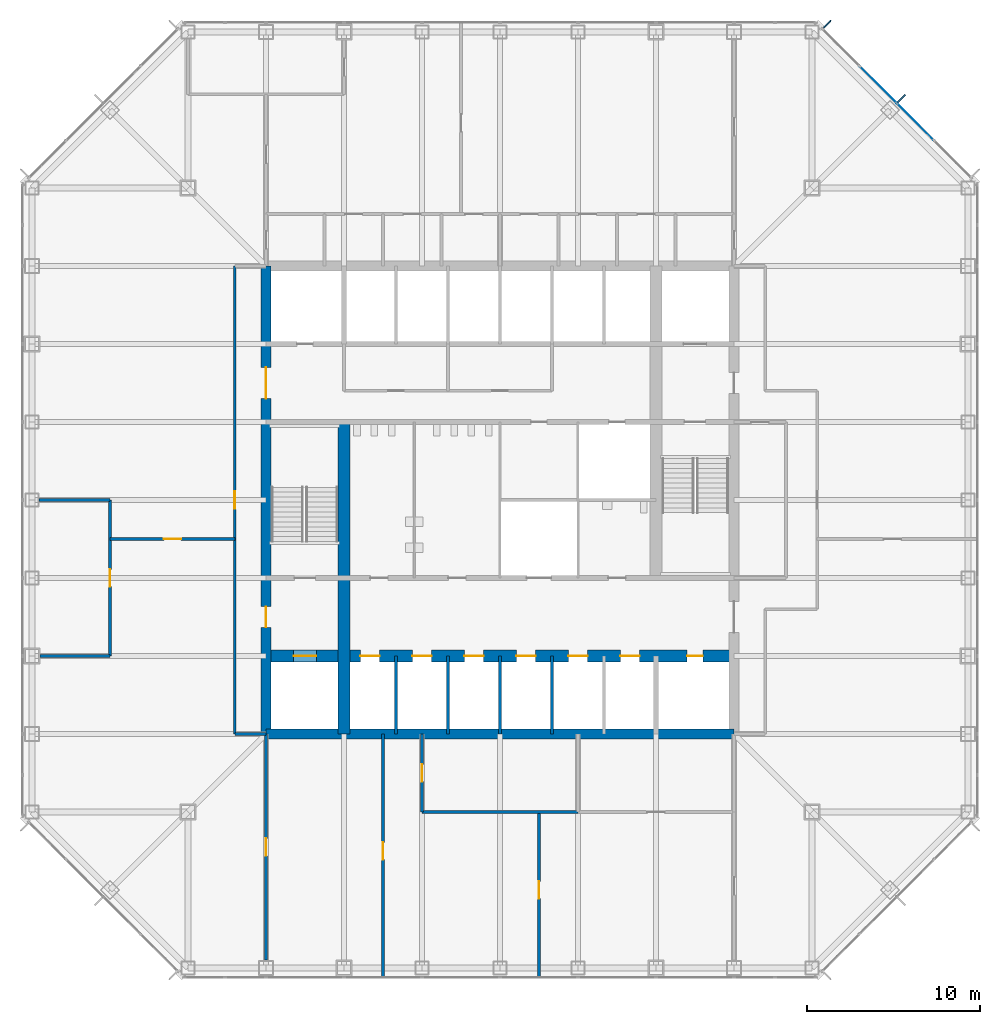
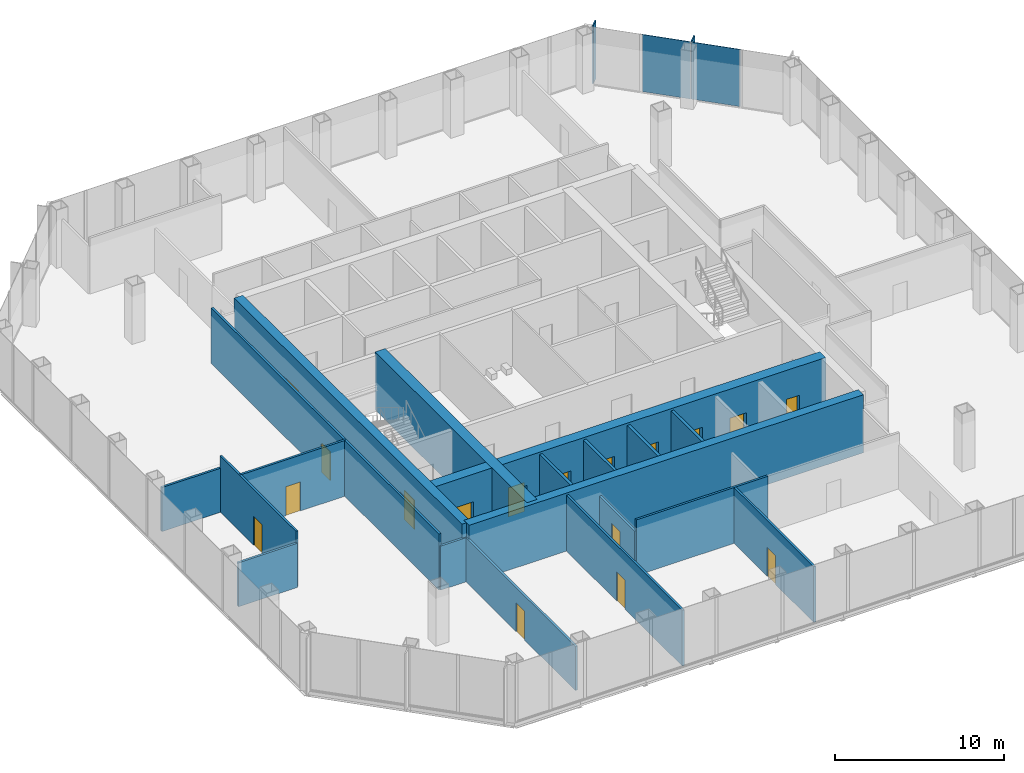
# One storey, part 8 of 13: 19 walls, 17 doors, 4 plates, 17 openings, 1 element without a shape of its own.
"""IFC4 building model written with IfcOpenShell, lengths in metres."""

from ifc_helpers import new_model, si_unit, direction, frame, frame_2d, origin, origin_2d, place, context, subcontext, project, spatial, rectangle, extrude, material, layer, layer_set, type_object, element, fill, aggregate, save


model = new_model("IFC4")

# Units and contexts
model_context = context("Model", 3, precision=1e-05, world=origin(), true_north=direction((0.0, 1.0)))
body_context = subcontext(model_context, "Body", "Model", "MODEL_VIEW")
ifc_project = project(units=[si_unit("LENGTHUNIT", "METRE"), si_unit("AREAUNIT", "SQUARE_METRE"), si_unit("VOLUMEUNIT", "CUBIC_METRE"), si_unit("PLANEANGLEUNIT", "RADIAN"), si_unit("MASSUNIT", "GRAM", prefix="KILO")], contexts=[model_context])

# Site, building, storey
site_placement = place(None, origin())
site = spatial("IfcSite", under=ifc_project, at=site_placement, CompositionType="ELEMENT")
building_placement = place(site_placement, origin())
building = spatial("IfcBuilding", under=site, at=building_placement, Name="Corais Broadcast Tower", CompositionType="ELEMENT")
storey_placement = place(building_placement, frame((0.0, 0.0, 62.60009765625)))
storey = spatial("IfcBuildingStorey", under=building, at=storey_placement, Name="L13", CompositionType="ELEMENT", Elevation=62.60009765625)

# Curtain wall, plates
ifc_material_1 = material(Name="Aluminium and glass", Category="aluminium")
curtain_wall_type = type_object("IfcCurtainWallType", Name="Unitised fritted curtain wall CW1", PredefinedType="NOTDEFINED", material=ifc_material_1)
curtain_wall_placement = place(storey_placement, origin())
curtain_wall = element("IfcCurtainWall", 1, at=curtain_wall_placement, inside=storey, type_object=curtain_wall_type, Name="CW1 curtain wall L13 5", PredefinedType="NOTDEFINED")
ifc_material_2 = material(Name="Ceramic-fritted laminated glass", Category="glass")
ifc_layer_1 = layer(ifc_material_2, 0.030029296875)
ifc_layer_set_1 = layer_set([ifc_layer_1], Name="Ceramic-fritted laminated glass")
plate_type_1 = type_object("IfcPlateType", Name="Fritted glass panel CW1", PredefinedType="CURTAIN_PANEL", material=ifc_layer_set_1)
plate_1_placement = place(storey_placement, frame((50.9658203125, 48.81201171875, 0.06494140625), z_axis=(0.0, 0.0, 1.0), x_axis=(0.707106781187, -0.707106781187, 0.0)))
plate_1 = element("IfcPlate", 2, at=plate_1_placement, type_object=plate_type_1, Name="CW1 panel 3", PredefinedType="CURTAIN_PANEL", context=body_context, shape_type="SweptSolid", body=[
    extrude(rectangle(XDim=2.98095703125, YDim=0.030029296875, at=origin_2d()), origin(), (0.0, 0.0, 1.0), 4.135009765625),
])
ifc_material_3 = material(Name="Clear laminated glass", Category="glass")
ifc_layer_2 = layer(ifc_material_3, 0.033935546875)
ifc_layer_set_2 = layer_set([ifc_layer_2], Name="Clear laminated glass")
plate_type_2 = type_object("IfcPlateType", Name="Operable glass panel CW1", PredefinedType="CURTAIN_PANEL", material=ifc_layer_set_2)
plate_2_placement = place(storey_placement, frame((48.81201171875, 50.9658203125, 0.06494140625), z_axis=(0.0, 0.0, 1.0), x_axis=(0.707106781187, -0.707106781187, 0.0)))
plate_2 = element("IfcPlate", 3, at=plate_2_placement, type_object=plate_type_2, Name="CW1 operable panel 2", PredefinedType="CURTAIN_PANEL", context=body_context, shape_type="SweptSolid", body=[
    extrude(rectangle(XDim=2.98095703125, YDim=0.033935546875, at=origin_2d()), origin(), (0.0, 0.0, 1.0), 4.135009765625),
])
aggregate(curtain_wall, [plate_2, plate_1])

# Plates
ifc_material_4 = material(Name="Granite stone cladding", Category="masonry")
ifc_layer_3 = layer(ifc_material_4, 0.080078125)
ifc_layer_set_3 = layer_set([ifc_layer_3], Name="Granite stone cladding")
plate_type_3 = type_object("IfcPlateType", Name="Stone screen fin 80x600", PredefinedType="USERDEFINED", material=ifc_layer_set_3)
for number, where, z_axis, x_axis, name in (
    (4, (45.885009765625, 54.4541015625, 0.0), (0.0, 0.0, 1.0), (0.707106781187, -0.707106781187, 0.0), "SF1 stone screen fin L13"),
    (5, (50.169677734375, 50.169677734375, 0.0), (0.0, 0.0, 1.0), (0.707106781187, -0.707106781187, 0.0), "SF1 stone screen fin L13"),
):
    element("IfcPlate", number, at=place(storey_placement, frame(where, z_axis=z_axis, x_axis=x_axis)), inside=storey, type_object=plate_type_3, Name=name, ObjectType="STONE SCREEN FIN", PredefinedType="USERDEFINED", context=body_context, shape_type="SweptSolid", body=[
        extrude(rectangle(XDim=0.080078125, YDim=0.60009765625, at=origin_2d()), origin(), (0.0, 0.0, 1.0), 4.199951171875),
    ])

# Wall
ifc_material_5 = material(Name="Concrete C50/60", Category="concrete")
ifc_layer_4 = layer(ifc_material_5, 0.699951171875)
ifc_layer_set_4 = layer_set([ifc_layer_4], Name="Concrete C50/60")
wall_type_1 = type_object("IfcWallType", Name="Core spine wall 700", PredefinedType="SHEAR", material=ifc_layer_set_4)
wall_1_placement = place(storey_placement, frame((18.0, 13.5, 0.0), z_axis=(0.0, 0.0, 1.0), x_axis=(0.0, 1.0, 0.0)))
element("IfcWall", 6, at=wall_1_placement, inside=storey, type_object=wall_type_1, Name="CR700 core wall X18A L13", PredefinedType="SHEAR", context=body_context, shape_type="SweptSolid", body=[
    extrude(rectangle(XDim=18.0, YDim=0.699951171875, at=frame_2d((9.0, 0.0))), origin(), (0.0, 0.0, 1.0), 4.199951171875),
])

# Wall, openings, doors
wall_2_placement = place(storey_placement, frame((13.5, 18.0, 0.0), z_axis=(0.0, 0.0, 1.0), x_axis=(1.0, 0.0, 0.0)))
wall_2 = element("IfcWall", 7, at=wall_2_placement, inside=storey, type_object=wall_type_1, Name="CR700 core wall Y18 L13", PredefinedType="SHEAR", context=body_context, shape_type="SweptSolid", body=[
    extrude(rectangle(XDim=27.0, YDim=0.699951171875, at=frame_2d((13.5, 0.0))), origin(), (0.0, 0.0, 1.0), 4.199951171875),
])
opening_1_placement = place(wall_2_placement, frame((24.300048828125, 0.0, 0.0)))
opening_1 = element("IfcOpeningElement", 8, at=opening_1_placement, cuts=wall_2, Name="Opening RD1", PredefinedType="OPENING", context=body_context, shape_type="SweptSolid", body=[
    extrude(rectangle(XDim=0.89990234375, YDim=2.10009765625, at=frame_2d((0.449951171875, 1.050048828125))), frame((0.0, 0.35986328125, 0.0), z_axis=(0.0, -1.0, 0.0), x_axis=(1.0, 0.0, 0.0)), (0.0, 0.0, 1.0), 0.719970703125),
])
opening_2_placement = place(wall_2_placement, frame((5.449951171875, 0.0, 0.0)))
opening_2 = element("IfcOpeningElement", 9, at=opening_2_placement, cuts=wall_2, Name="Opening LD1", PredefinedType="OPENING", context=body_context, shape_type="SweptSolid", body=[
    extrude(rectangle(XDim=1.10009765625, YDim=2.10009765625, at=frame_2d((0.550048828125, 1.050048828125))), frame((0.0, 0.35986328125, 0.0), z_axis=(0.0, -1.0, 0.0), x_axis=(1.0, 0.0, 0.0)), (0.0, 0.0, 1.0), 0.719970703125),
])
opening_3_placement = place(wall_2_placement, frame((8.449951171875, 0.0, 0.0)))
opening_3 = element("IfcOpeningElement", 10, at=opening_3_placement, cuts=wall_2, Name="Opening LD1", PredefinedType="OPENING", context=body_context, shape_type="SweptSolid", body=[
    extrude(rectangle(XDim=1.10009765625, YDim=2.10009765625, at=frame_2d((0.550048828125, 1.050048828125))), frame((0.0, 0.35986328125, 0.0), z_axis=(0.0, -1.0, 0.0), x_axis=(1.0, 0.0, 0.0)), (0.0, 0.0, 1.0), 0.719970703125),
])
opening_4_placement = place(wall_2_placement, frame((11.449951171875, 0.0, 0.0)))
opening_4 = element("IfcOpeningElement", 11, at=opening_4_placement, cuts=wall_2, Name="Opening LD1", PredefinedType="OPENING", context=body_context, shape_type="SweptSolid", body=[
    extrude(rectangle(XDim=1.10009765625, YDim=2.10009765625, at=frame_2d((0.550048828125, 1.050048828125))), frame((0.0, 0.35986328125, 0.0), z_axis=(0.0, -1.0, 0.0), x_axis=(1.0, 0.0, 0.0)), (0.0, 0.0, 1.0), 0.719970703125),
])
opening_5_placement = place(wall_2_placement, frame((14.449951171875, 0.0, 0.0)))
opening_5 = element("IfcOpeningElement", 12, at=opening_5_placement, cuts=wall_2, Name="Opening LD1", PredefinedType="OPENING", context=body_context, shape_type="SweptSolid", body=[
    extrude(rectangle(XDim=1.10009765625, YDim=2.10009765625, at=frame_2d((0.550048828125, 1.050048828125))), frame((0.0, 0.35986328125, 0.0), z_axis=(0.0, -1.0, 0.0), x_axis=(1.0, 0.0, 0.0)), (0.0, 0.0, 1.0), 0.719970703125),
])
opening_6_placement = place(wall_2_placement, frame((17.449951171875, 0.0, 0.0)))
opening_6 = element("IfcOpeningElement", 13, at=opening_6_placement, cuts=wall_2, Name="Opening LD1", PredefinedType="OPENING", context=body_context, shape_type="SweptSolid", body=[
    extrude(rectangle(XDim=1.10009765625, YDim=2.10009765625, at=frame_2d((0.550048828125, 1.050048828125))), frame((0.0, 0.35986328125, 0.0), z_axis=(0.0, -1.0, 0.0), x_axis=(1.0, 0.0, 0.0)), (0.0, 0.0, 1.0), 0.719970703125),
])
opening_7_placement = place(wall_2_placement, frame((20.449951171875, 0.0, 0.0)))
opening_7 = element("IfcOpeningElement", 14, at=opening_7_placement, cuts=wall_2, Name="Opening LD1", PredefinedType="OPENING", context=body_context, shape_type="SweptSolid", body=[
    extrude(rectangle(XDim=1.10009765625, YDim=2.10009765625, at=frame_2d((0.550048828125, 1.050048828125))), frame((0.0, 0.35986328125, 0.0), z_axis=(0.0, -1.0, 0.0), x_axis=(1.0, 0.0, 0.0)), (0.0, 0.0, 1.0), 0.719970703125),
])
opening_8_placement = place(wall_2_placement, frame((1.60009765625, 0.0, 0.0)))
opening_8 = element("IfcOpeningElement", 15, at=opening_8_placement, cuts=wall_2, Name="Opening LD2", PredefinedType="OPENING", context=body_context, shape_type="SweptSolid", body=[
    extrude(rectangle(XDim=1.300048828125, YDim=2.199951171875, at=frame_2d((0.64990234375, 1.10009765625))), frame((0.0, 0.35986328125, 0.0), z_axis=(0.0, -1.0, 0.0), x_axis=(1.0, 0.0, 0.0)), (0.0, 0.0, 1.0), 0.719970703125),
])
ifc_material_6 = material(Name="Stainless steel lift door", Category="steel")
door_type_1 = type_object("IfcDoorType", Name="Lift landing door 1100x2100", OperationType="SLIDING_TO_LEFT", PredefinedType="DOOR", material=ifc_material_6)
door_1_placement = place(opening_2_placement, origin())
door_1 = element("IfcDoor", 16, at=door_1_placement, inside=storey, type_object=door_type_1, Name="LD1 PL1 landing door L13", OperationType="SLIDING_TO_LEFT", OverallHeight=2.10009765625, OverallWidth=1.10009765625, PredefinedType="DOOR", context=body_context, shape_type="SweptSolid", body=[
    extrude(rectangle(XDim=1.10009765625, YDim=2.10009765625, at=frame_2d((0.550048828125, 1.050048828125))), frame((0.0, 0.02490234375, 0.0), z_axis=(0.0, -1.0, 0.0), x_axis=(1.0, 0.0, 0.0)), (0.0, 0.0, 1.0), 0.050048828125),
])
fill(opening_2, door_1)
door_2_placement = place(opening_3_placement, origin())
door_2 = element("IfcDoor", 17, at=door_2_placement, inside=storey, type_object=door_type_1, Name="LD1 PL2 landing door L13", OperationType="SLIDING_TO_LEFT", OverallHeight=2.10009765625, OverallWidth=1.10009765625, PredefinedType="DOOR", context=body_context, shape_type="SweptSolid", body=[
    extrude(rectangle(XDim=1.10009765625, YDim=2.10009765625, at=frame_2d((0.550048828125, 1.050048828125))), frame((0.0, 0.02490234375, 0.0), z_axis=(0.0, -1.0, 0.0), x_axis=(1.0, 0.0, 0.0)), (0.0, 0.0, 1.0), 0.050048828125),
])
fill(opening_3, door_2)
door_3_placement = place(opening_4_placement, origin())
door_3 = element("IfcDoor", 18, at=door_3_placement, inside=storey, type_object=door_type_1, Name="LD1 PL3 landing door L13", OperationType="SLIDING_TO_LEFT", OverallHeight=2.10009765625, OverallWidth=1.10009765625, PredefinedType="DOOR", context=body_context, shape_type="SweptSolid", body=[
    extrude(rectangle(XDim=1.10009765625, YDim=2.10009765625, at=frame_2d((0.550048828125, 1.050048828125))), frame((0.0, 0.02490234375, 0.0), z_axis=(0.0, -1.0, 0.0), x_axis=(1.0, 0.0, 0.0)), (0.0, 0.0, 1.0), 0.050048828125),
])
fill(opening_4, door_3)
door_4_placement = place(opening_5_placement, origin())
door_4 = element("IfcDoor", 19, at=door_4_placement, inside=storey, type_object=door_type_1, Name="LD1 PL4 landing door L13", OperationType="SLIDING_TO_LEFT", OverallHeight=2.10009765625, OverallWidth=1.10009765625, PredefinedType="DOOR", context=body_context, shape_type="SweptSolid", body=[
    extrude(rectangle(XDim=1.10009765625, YDim=2.10009765625, at=frame_2d((0.550048828125, 1.050048828125))), frame((0.0, 0.02490234375, 0.0), z_axis=(0.0, -1.0, 0.0), x_axis=(1.0, 0.0, 0.0)), (0.0, 0.0, 1.0), 0.050048828125),
])
fill(opening_5, door_4)
door_5_placement = place(opening_6_placement, origin())
door_5 = element("IfcDoor", 20, at=door_5_placement, inside=storey, type_object=door_type_1, Name="LD1 PL5 landing door L13", OperationType="SLIDING_TO_LEFT", OverallHeight=2.10009765625, OverallWidth=1.10009765625, PredefinedType="DOOR", context=body_context, shape_type="SweptSolid", body=[
    extrude(rectangle(XDim=1.10009765625, YDim=2.10009765625, at=frame_2d((0.550048828125, 1.050048828125))), frame((0.0, 0.02490234375, 0.0), z_axis=(0.0, -1.0, 0.0), x_axis=(1.0, 0.0, 0.0)), (0.0, 0.0, 1.0), 0.050048828125),
])
fill(opening_6, door_5)
door_6_placement = place(opening_7_placement, origin())
door_6 = element("IfcDoor", 21, at=door_6_placement, inside=storey, type_object=door_type_1, Name="LD1 PL6 landing door L13", OperationType="SLIDING_TO_LEFT", OverallHeight=2.10009765625, OverallWidth=1.10009765625, PredefinedType="DOOR", context=body_context, shape_type="SweptSolid", body=[
    extrude(rectangle(XDim=1.10009765625, YDim=2.10009765625, at=frame_2d((0.550048828125, 1.050048828125))), frame((0.0, 0.02490234375, 0.0), z_axis=(0.0, -1.0, 0.0), x_axis=(1.0, 0.0, 0.0)), (0.0, 0.0, 1.0), 0.050048828125),
])
fill(opening_7, door_6)
ifc_material_7 = material(Name="Stainless steel lift door", Category="steel")
door_type_2 = type_object("IfcDoorType", Name="Lift landing door 1300x2200", OperationType="SLIDING_TO_LEFT", PredefinedType="DOOR", material=ifc_material_7)
door_7_placement = place(opening_8_placement, origin())
door_7 = element("IfcDoor", 22, at=door_7_placement, inside=storey, type_object=door_type_2, Name="LD2 FL1 landing door L13", OperationType="SLIDING_TO_LEFT", OverallHeight=2.199951171875, OverallWidth=1.300048828125, PredefinedType="DOOR", context=body_context, shape_type="SweptSolid", body=[
    extrude(rectangle(XDim=1.300048828125, YDim=2.199951171875, at=frame_2d((0.64990234375, 1.10009765625))), frame((0.0, 0.02490234375, 0.0), z_axis=(0.0, -1.0, 0.0), x_axis=(1.0, 0.0, 0.0)), (0.0, 0.0, 1.0), 0.050048828125),
])
fill(opening_8, door_7)
ifc_material_8 = material(Name="Steel fire door", Category="steel")
door_type_3 = type_object("IfcDoorType", Name="Riser door 900x2100", OperationType="SINGLE_SWING_LEFT", PredefinedType="DOOR", material=ifc_material_8)
door_8_placement = place(opening_1_placement, origin())
door_8 = element("IfcDoor", 23, at=door_8_placement, inside=storey, type_object=door_type_3, Name="RD1 riser door L13", OperationType="SINGLE_SWING_RIGHT", OverallHeight=2.10009765625, OverallWidth=0.89990234375, PredefinedType="DOOR", context=body_context, shape_type="SweptSolid", body=[
    extrude(rectangle(XDim=0.89990234375, YDim=2.10009765625, at=frame_2d((0.449951171875, 1.050048828125))), frame((0.0, 0.02490234375, 0.0), z_axis=(0.0, -1.0, 0.0), x_axis=(1.0, 0.0, 0.0)), (0.0, 0.0, 1.0), 0.050048828125),
])
fill(opening_1, door_8)

# Wall
ifc_material_9 = material(Name="Concrete C50/60", Category="concrete")
ifc_layer_5 = layer(ifc_material_9, 0.60009765625)
ifc_layer_set_5 = layer_set([ifc_layer_5], Name="Concrete C50/60")
wall_type_2 = type_object("IfcWallType", Name="Core wall 600", PredefinedType="SHEAR", material=ifc_layer_set_5)
wall_3_placement = place(storey_placement, frame((13.5, 13.5, 0.0), z_axis=(0.0, 0.0, 1.0), x_axis=(1.0, 0.0, 0.0)))
element("IfcWall", 24, at=wall_3_placement, inside=storey, type_object=wall_type_2, Name="CR600 core wall S L13", PredefinedType="SHEAR", context=body_context, shape_type="SweptSolid", body=[
    extrude(rectangle(XDim=27.0, YDim=0.60009765625, at=frame_2d((13.5, 0.0))), origin(), (0.0, 0.0, 1.0), 4.199951171875),
])

# Wall, openings, doors
wall_4_placement = place(storey_placement, frame((13.5, 40.5, 0.0), z_axis=(0.0, 0.0, 1.0), x_axis=(0.0, -1.0, 0.0)))
wall_4 = element("IfcWall", 25, at=wall_4_placement, inside=storey, type_object=wall_type_2, Name="CR600 core wall W L13", PredefinedType="SHEAR", context=body_context, shape_type="SweptSolid", body=[
    extrude(rectangle(XDim=27.0, YDim=0.60009765625, at=frame_2d((13.5, 0.0))), origin(), (0.0, 0.0, 1.0), 4.199951171875),
])
opening_9_placement = place(wall_4_placement, frame((19.64990234375, 0.0, 0.0)))
opening_9 = element("IfcOpeningElement", 26, at=opening_9_placement, cuts=wall_4, Name="Opening FD1", PredefinedType="OPENING", context=body_context, shape_type="SweptSolid", body=[
    extrude(rectangle(XDim=1.199951171875, YDim=2.10009765625, at=frame_2d((0.60009765625, 1.050048828125))), frame((0.0, 0.31005859375, 0.0), z_axis=(0.0, -1.0, 0.0), x_axis=(1.0, 0.0, 0.0)), (0.0, 0.0, 1.0), 0.6201171875),
])
opening_10_placement = place(wall_4_placement, frame((5.85009765625, 0.0, 0.0)))
opening_10 = element("IfcOpeningElement", 27, at=opening_10_placement, cuts=wall_4, Name="Opening FD2", PredefinedType="OPENING", context=body_context, shape_type="SweptSolid", body=[
    extrude(rectangle(XDim=1.800048828125, YDim=2.10009765625, at=frame_2d((0.89990234375, 1.050048828125))), frame((0.0, 0.31005859375, 0.0), z_axis=(0.0, -1.0, 0.0), x_axis=(1.0, 0.0, 0.0)), (0.0, 0.0, 1.0), 0.6201171875),
])
ifc_material_10 = material(Name="Steel fire door", Category="steel")
door_type_4 = type_object("IfcDoorType", Name="Fire door 1200x2100", OperationType="SINGLE_SWING_LEFT", PredefinedType="DOOR", material=ifc_material_10)
door_9_placement = place(opening_9_placement, origin())
door_9 = element("IfcDoor", 28, at=door_9_placement, inside=storey, type_object=door_type_4, Name="FD1 fire lobby A door L13", OperationType="SINGLE_SWING_RIGHT", OverallHeight=2.10009765625, OverallWidth=1.199951171875, PredefinedType="DOOR", context=body_context, shape_type="SweptSolid", body=[
    extrude(rectangle(XDim=1.199951171875, YDim=2.10009765625, at=frame_2d((0.60009765625, 1.050048828125))), frame((0.0, 0.02490234375, 0.0), z_axis=(0.0, -1.0, 0.0), x_axis=(1.0, 0.0, 0.0)), (0.0, 0.0, 1.0), 0.050048828125),
])
fill(opening_9, door_9)
ifc_material_11 = material(Name="Steel fire door", Category="steel")
door_type_5 = type_object("IfcDoorType", Name="Fire door pair 1800x2100", OperationType="DOUBLE_DOOR_SINGLE_SWING", PredefinedType="DOOR", material=ifc_material_11)
door_10_placement = place(opening_10_placement, origin())
door_10 = element("IfcDoor", 29, at=door_10_placement, inside=storey, type_object=door_type_5, Name="FD2 lift lobby door L13", OperationType="SINGLE_SWING_LEFT", OverallHeight=2.10009765625, OverallWidth=1.800048828125, PredefinedType="DOOR", context=body_context, shape_type="SweptSolid", body=[
    extrude(rectangle(XDim=1.800048828125, YDim=2.10009765625, at=frame_2d((0.89990234375, 1.050048828125))), frame((0.0, 0.02490234375, 0.0), z_axis=(0.0, -1.0, 0.0), x_axis=(1.0, 0.0, 0.0)), (0.0, 0.0, 1.0), 0.050048828125),
])
fill(opening_10, door_10)

# Wall, opening, door
ifc_material_12 = material(Name="Gypsum board on steel studs", Category="steel")
ifc_layer_6 = layer(ifc_material_12, 0.14990234375)
ifc_layer_set_6 = layer_set([ifc_layer_6], Name="Gypsum board on steel studs")
wall_type_3 = type_object("IfcWallType", Name="Partition 150", PredefinedType="PARTITIONING", material=ifc_layer_set_6)
wall_5_placement = place(storey_placement, frame((11.699951171875, 40.5, 0.0), z_axis=(0.0, 0.0, 1.0), x_axis=(0.0, -1.0, 0.0)))
wall_5 = element("IfcWall", 30, at=wall_5_placement, inside=storey, type_object=wall_type_3, Name="IW3 corridor wall L13", PredefinedType="PARTITIONING", context=body_context, shape_type="SweptSolid", body=[
    extrude(rectangle(XDim=27.0, YDim=0.14990234375, at=frame_2d((13.5, 0.0))), origin(), (0.0, 0.0, 1.0), 4.039794921875),
])
opening_11_placement = place(wall_5_placement, frame((13.0, 0.0, 0.0)))
opening_11 = element("IfcOpeningElement", 31, at=opening_11_placement, cuts=wall_5, Name="Opening D1", PredefinedType="OPENING", context=body_context, shape_type="SweptSolid", body=[
    extrude(rectangle(XDim=1.0, YDim=2.10009765625, at=frame_2d((0.5, 1.050048828125))), frame((0.0, 0.0849609375, 0.0), z_axis=(0.0, -1.0, 0.0), x_axis=(1.0, 0.0, 0.0)), (0.0, 0.0, 1.0), 0.169921875),
])
ifc_material_13 = material(Name="Timber door", Category="wood")
door_type_6 = type_object("IfcDoorType", Name="Single door 1000x2100", OperationType="SINGLE_SWING_LEFT", PredefinedType="DOOR", material=ifc_material_13)
door_11_placement = place(opening_11_placement, origin())
door_11 = element("IfcDoor", 32, at=door_11_placement, inside=storey, type_object=door_type_6, Name="D1 workplace door L13", OperationType="SINGLE_SWING_LEFT", OverallHeight=2.10009765625, OverallWidth=1.0, PredefinedType="DOOR", context=body_context, shape_type="SweptSolid", body=[
    extrude(rectangle(XDim=1.0, YDim=2.10009765625, at=frame_2d((0.5, 1.050048828125))), frame((0.0, 0.02490234375, 0.0), z_axis=(0.0, -1.0, 0.0), x_axis=(1.0, 0.0, 0.0)), (0.0, 0.0, 1.0), 0.050048828125),
])
fill(opening_11, door_11)

# Walls
wall_6_placement = place(storey_placement, frame((11.699951171875, 13.5, 0.0), z_axis=(0.0, 0.0, 1.0), x_axis=(1.0, 0.0, 0.0)))
element("IfcWall", 33, at=wall_6_placement, inside=storey, type_object=wall_type_3, Name="IW3 corridor wall L13", PredefinedType="PARTITIONING", context=body_context, shape_type="SweptSolid", body=[
    extrude(rectangle(XDim=1.81005859375, YDim=0.14990234375, at=frame_2d((0.905029296875, 0.0))), origin(), (0.0, 0.0, 1.0), 3.18896484375),
])
wall_7_placement = place(storey_placement, frame((22.5, 9.0, 0.0), z_axis=(0.0, 0.0, 1.0), x_axis=(1.0, 0.0, 0.0)))
element("IfcWall", 34, at=wall_7_placement, inside=storey, type_object=wall_type_3, Name="IW3 partition L13", PredefinedType="PARTITIONING", context=body_context, shape_type="SweptSolid", body=[
    extrude(rectangle(XDim=9.0, YDim=0.14990234375, at=frame_2d((4.5, 0.0))), origin(), (0.0, 0.0, 1.0), 4.039794921875),
])

# Wall, opening, door
wall_8_placement = place(storey_placement, frame((22.5, 13.5, 0.0), z_axis=(0.0, 0.0, 1.0), x_axis=(0.0, -1.0, 0.0)))
wall_8 = element("IfcWall", 35, at=wall_8_placement, inside=storey, type_object=wall_type_3, Name="IW3 partition L13", PredefinedType="PARTITIONING", context=body_context, shape_type="SweptSolid", body=[
    extrude(rectangle(XDim=4.5, YDim=0.14990234375, at=frame_2d((2.25, 0.0))), origin(), (0.0, 0.0, 1.0), 3.18896484375),
])
opening_12_placement = place(wall_8_placement, frame((1.75, 0.0, 0.0)))
opening_12 = element("IfcOpeningElement", 36, at=opening_12_placement, cuts=wall_8, Name="Opening D1", PredefinedType="OPENING", context=body_context, shape_type="SweptSolid", body=[
    extrude(rectangle(XDim=1.0, YDim=2.10009765625, at=frame_2d((0.5, 1.050048828125))), frame((0.0, 0.0849609375, 0.0), z_axis=(0.0, -1.0, 0.0), x_axis=(1.0, 0.0, 0.0)), (0.0, 0.0, 1.0), 0.169921875),
])
door_12_placement = place(opening_12_placement, origin())
door_12 = element("IfcDoor", 37, at=door_12_placement, inside=storey, type_object=door_type_6, Name="D1 Radio producer office door", OperationType="SINGLE_SWING_LEFT", OverallHeight=2.10009765625, OverallWidth=1.0, PredefinedType="DOOR", context=body_context, shape_type="SweptSolid", body=[
    extrude(rectangle(XDim=1.0, YDim=2.10009765625, at=frame_2d((0.5, 1.050048828125))), frame((0.0, 0.02490234375, 0.0), z_axis=(0.0, -1.0, 0.0), x_axis=(1.0, 0.0, 0.0)), (0.0, 0.0, 1.0), 0.050048828125),
])
fill(opening_12, door_12)

# Wall
wall_9_placement = place(storey_placement, frame((0.4599609375, 18.0, 0.0), z_axis=(0.0, 0.0, 1.0), x_axis=(1.0, 0.0, 0.0)))
element("IfcWall", 38, at=wall_9_placement, inside=storey, type_object=wall_type_3, Name="IW3 partition L13", PredefinedType="PARTITIONING", context=body_context, shape_type="SweptSolid", body=[
    extrude(rectangle(XDim=4.0400390625, YDim=0.14990234375, at=frame_2d((2.02001953125, 0.0))), origin(), (0.0, 0.0, 1.0), 3.18896484375),
])

# Wall, opening, door
wall_10_placement = place(storey_placement, frame((4.5, 18.0, 0.0), z_axis=(0.0, 0.0, 1.0), x_axis=(0.0, 1.0, 0.0)))
wall_10 = element("IfcWall", 39, at=wall_10_placement, inside=storey, type_object=wall_type_3, Name="IW3 partition L13", PredefinedType="PARTITIONING", context=body_context, shape_type="SweptSolid", body=[
    extrude(rectangle(XDim=9.0, YDim=0.14990234375, at=frame_2d((4.5, 0.0))), origin(), (0.0, 0.0, 1.0), 4.039794921875),
])
opening_13_placement = place(wall_10_placement, frame((4.0, 0.0, 0.0)))
opening_13 = element("IfcOpeningElement", 40, at=opening_13_placement, cuts=wall_10, Name="Opening D1", PredefinedType="OPENING", context=body_context, shape_type="SweptSolid", body=[
    extrude(rectangle(XDim=1.0, YDim=2.10009765625, at=frame_2d((0.5, 1.050048828125))), frame((0.0, 0.0849609375, 0.0), z_axis=(0.0, -1.0, 0.0), x_axis=(1.0, 0.0, 0.0)), (0.0, 0.0, 1.0), 0.169921875),
])
door_13_placement = place(opening_13_placement, origin())
door_13 = element("IfcDoor", 41, at=door_13_placement, inside=storey, type_object=door_type_6, Name="D1 Meeting room door", OperationType="SINGLE_SWING_LEFT", OverallHeight=2.10009765625, OverallWidth=1.0, PredefinedType="DOOR", context=body_context, shape_type="SweptSolid", body=[
    extrude(rectangle(XDim=1.0, YDim=2.10009765625, at=frame_2d((0.5, 1.050048828125))), frame((0.0, 0.02490234375, 0.0), z_axis=(0.0, -1.0, 0.0), x_axis=(1.0, 0.0, 0.0)), (0.0, 0.0, 1.0), 0.050048828125),
])
fill(opening_13, door_13)

# Wall
wall_11_placement = place(storey_placement, frame((4.5, 27.0, 0.0), z_axis=(0.0, 0.0, 1.0), x_axis=(-1.0, 0.0, 0.0)))
element("IfcWall", 42, at=wall_11_placement, inside=storey, type_object=wall_type_3, Name="IW3 partition L13", PredefinedType="PARTITIONING", context=body_context, shape_type="SweptSolid", body=[
    extrude(rectangle(XDim=4.090087890625, YDim=0.14990234375, at=frame_2d((2.044921875, 0.0))), origin(), (0.0, 0.0, 1.0), 3.18896484375),
])

# Wall, opening, door
wall_12_placement = place(storey_placement, frame((29.25, -0.52001953125, 0.0), z_axis=(0.0, 0.0, 1.0), x_axis=(0.0, 1.0, 0.0)))
wall_12 = element("IfcWall", 43, at=wall_12_placement, inside=storey, type_object=wall_type_3, Name="IW3 partition L13", PredefinedType="PARTITIONING", context=body_context, shape_type="SweptSolid", body=[
    extrude(rectangle(XDim=9.52001953125, YDim=0.14990234375, at=frame_2d((4.760009765625, 0.0))), origin(), (0.0, 0.0, 1.0), 4.039794921875),
])
opening_14_placement = place(wall_12_placement, frame((4.52001953125, 0.0, 0.0)))
opening_14 = element("IfcOpeningElement", 44, at=opening_14_placement, cuts=wall_12, Name="Opening D1", PredefinedType="OPENING", context=body_context, shape_type="SweptSolid", body=[
    extrude(rectangle(XDim=1.0, YDim=2.10009765625, at=frame_2d((0.5, 1.050048828125))), frame((0.0, 0.0849609375, 0.0), z_axis=(0.0, -1.0, 0.0), x_axis=(1.0, 0.0, 0.0)), (0.0, 0.0, 1.0), 0.169921875),
])
door_14_placement = place(opening_14_placement, origin())
door_14 = element("IfcDoor", 45, at=door_14_placement, inside=storey, type_object=door_type_6, Name="D1 team room door L13", OperationType="SINGLE_SWING_RIGHT", OverallHeight=2.10009765625, OverallWidth=1.0, PredefinedType="DOOR", context=body_context, shape_type="SweptSolid", body=[
    extrude(rectangle(XDim=1.0, YDim=2.10009765625, at=frame_2d((0.5, 1.050048828125))), frame((0.0, 0.02490234375, 0.0), z_axis=(0.0, -1.0, 0.0), x_axis=(1.0, 0.0, 0.0)), (0.0, 0.0, 1.0), 0.050048828125),
])
fill(opening_14, door_14)

wall_13_placement = place(storey_placement, frame((11.699951171875, 24.75, 0.0), z_axis=(0.0, 0.0, 1.0), x_axis=(-1.0, 0.0, 0.0)))
wall_13 = element("IfcWall", 46, at=wall_13_placement, inside=storey, type_object=wall_type_3, Name="IW3 partition L13", PredefinedType="PARTITIONING", context=body_context, shape_type="SweptSolid", body=[
    extrude(rectangle(XDim=7.199951171875, YDim=0.14990234375, at=frame_2d((3.60009765625, 0.0))), origin(), (0.0, 0.0, 1.0), 4.039794921875),
])
opening_15_placement = place(wall_13_placement, frame((3.10009765625, 0.0, 0.0)))
opening_15 = element("IfcOpeningElement", 47, at=opening_15_placement, cuts=wall_13, Name="Opening D1", PredefinedType="OPENING", context=body_context, shape_type="SweptSolid", body=[
    extrude(rectangle(XDim=1.0, YDim=2.10009765625, at=frame_2d((0.5, 1.050048828125))), frame((0.0, 0.0849609375, 0.0), z_axis=(0.0, -1.0, 0.0), x_axis=(1.0, 0.0, 0.0)), (0.0, 0.0, 1.0), 0.169921875),
])
door_15_placement = place(opening_15_placement, origin())
door_15 = element("IfcDoor", 48, at=door_15_placement, inside=storey, type_object=door_type_6, Name="D1 team room door L13", OperationType="SINGLE_SWING_LEFT", OverallHeight=2.10009765625, OverallWidth=1.0, PredefinedType="DOOR", context=body_context, shape_type="SweptSolid", body=[
    extrude(rectangle(XDim=1.0, YDim=2.10009765625, at=frame_2d((0.5, 1.050048828125))), frame((0.0, 0.02490234375, 0.0), z_axis=(0.0, -1.0, 0.0), x_axis=(1.0, 0.0, 0.0)), (0.0, 0.0, 1.0), 0.050048828125),
])
fill(opening_15, door_15)

wall_14_placement = place(storey_placement, frame((20.25, 13.5, 0.0), z_axis=(0.0, 0.0, 1.0), x_axis=(0.0, -1.0, 0.0)))
wall_14 = element("IfcWall", 49, at=wall_14_placement, inside=storey, type_object=wall_type_3, Name="IW3 partition L13", PredefinedType="PARTITIONING", context=body_context, shape_type="SweptSolid", body=[
    extrude(rectangle(XDim=14.02001953125, YDim=0.14990234375, at=frame_2d((7.010009765625, 0.0))), origin(), (0.0, 0.0, 1.0), 4.039794921875),
])
opening_16_placement = place(wall_14_placement, frame((6.25, 0.0, 0.0)))
opening_16 = element("IfcOpeningElement", 50, at=opening_16_placement, cuts=wall_14, Name="Opening D1", PredefinedType="OPENING", context=body_context, shape_type="SweptSolid", body=[
    extrude(rectangle(XDim=1.0, YDim=2.10009765625, at=frame_2d((0.5, 1.050048828125))), frame((0.0, 0.0849609375, 0.0), z_axis=(0.0, -1.0, 0.0), x_axis=(1.0, 0.0, 0.0)), (0.0, 0.0, 1.0), 0.169921875),
])
door_16_placement = place(opening_16_placement, origin())
door_16 = element("IfcDoor", 51, at=door_16_placement, inside=storey, type_object=door_type_6, Name="D1 team room door L13", OperationType="SINGLE_SWING_LEFT", OverallHeight=2.10009765625, OverallWidth=1.0, PredefinedType="DOOR", context=body_context, shape_type="SweptSolid", body=[
    extrude(rectangle(XDim=1.0, YDim=2.10009765625, at=frame_2d((0.5, 1.050048828125))), frame((0.0, 0.02490234375, 0.0), z_axis=(0.0, -1.0, 0.0), x_axis=(1.0, 0.0, 0.0)), (0.0, 0.0, 1.0), 0.050048828125),
])
fill(opening_16, door_16)

wall_15_placement = place(storey_placement, frame((13.5, 0.445068359375, 0.0), z_axis=(0.0, 0.0, 1.0), x_axis=(0.0, 1.0, 0.0)))
wall_15 = element("IfcWall", 52, at=wall_15_placement, inside=storey, type_object=wall_type_3, Name="IW3 partition L13", PredefinedType="PARTITIONING", context=body_context, shape_type="SweptSolid", body=[
    extrude(rectangle(XDim=13.054931640625, YDim=0.14990234375, at=frame_2d((6.52734375, 0.0))), origin(), (0.0, 0.0, 1.0), 3.18896484375),
])
opening_17_placement = place(wall_15_placement, frame((6.027587890625, 0.0, 0.0)))
opening_17 = element("IfcOpeningElement", 53, at=opening_17_placement, cuts=wall_15, Name="Opening D1", PredefinedType="OPENING", context=body_context, shape_type="SweptSolid", body=[
    extrude(rectangle(XDim=1.0, YDim=2.10009765625, at=frame_2d((0.5, 1.050048828125))), frame((0.0, 0.0849609375, 0.0), z_axis=(0.0, -1.0, 0.0), x_axis=(1.0, 0.0, 0.0)), (0.0, 0.0, 1.0), 0.169921875),
])
door_17_placement = place(opening_17_placement, origin())
door_17 = element("IfcDoor", 54, at=door_17_placement, inside=storey, type_object=door_type_6, Name="D1 team room door L13", OperationType="SINGLE_SWING_LEFT", OverallHeight=2.10009765625, OverallWidth=1.0, PredefinedType="DOOR", context=body_context, shape_type="SweptSolid", body=[
    extrude(rectangle(XDim=1.0, YDim=2.10009765625, at=frame_2d((0.5, 1.050048828125))), frame((0.0, 0.02490234375, 0.0), z_axis=(0.0, -1.0, 0.0), x_axis=(1.0, 0.0, 0.0)), (0.0, 0.0, 1.0), 0.050048828125),
])
fill(opening_17, door_17)

# Walls
ifc_material_14 = material(Name="Concrete blockwork class A, grouted, two-hour", Category="masonry")
ifc_layer_7 = layer(ifc_material_14, 0.199951171875)
ifc_layer_set_7 = layer_set([ifc_layer_7], Name="Concrete blockwork class A, grouted, two-hour")
wall_type_4 = type_object("IfcWallType", Name="Shaft wall 200", PredefinedType="PARTITIONING", material=ifc_layer_set_7)
for number, where, z_axis, x_axis, name in (
    (55, (21.0, 13.5, 0.0), (0.0, 0.0, 1.0), (0.0, 1.0, 0.0), "IW1 shaft wall L13"),
    (56, (24.0, 13.5, 0.0), (0.0, 0.0, 1.0), (0.0, 1.0, 0.0), "IW1 shaft wall L13"),
    (57, (27.0, 13.5, 0.0), (0.0, 0.0, 1.0), (0.0, 1.0, 0.0), "IW1 shaft wall L13"),
    (58, (30.0, 13.5, 0.0), (0.0, 0.0, 1.0), (0.0, 1.0, 0.0), "IW1 shaft wall L13"),
):
    element("IfcWall", number, at=place(storey_placement, frame(where, z_axis=z_axis, x_axis=x_axis)), inside=storey, type_object=wall_type_4, Name=name, PredefinedType="PARTITIONING", context=body_context, shape_type="SweptSolid", body=[
        extrude(rectangle(XDim=4.5, YDim=0.199951171875, at=frame_2d((2.25, 0.0))), origin(), (0.0, 0.0, 1.0), 4.039794921875),
    ])

save(model, "model.ifc")
